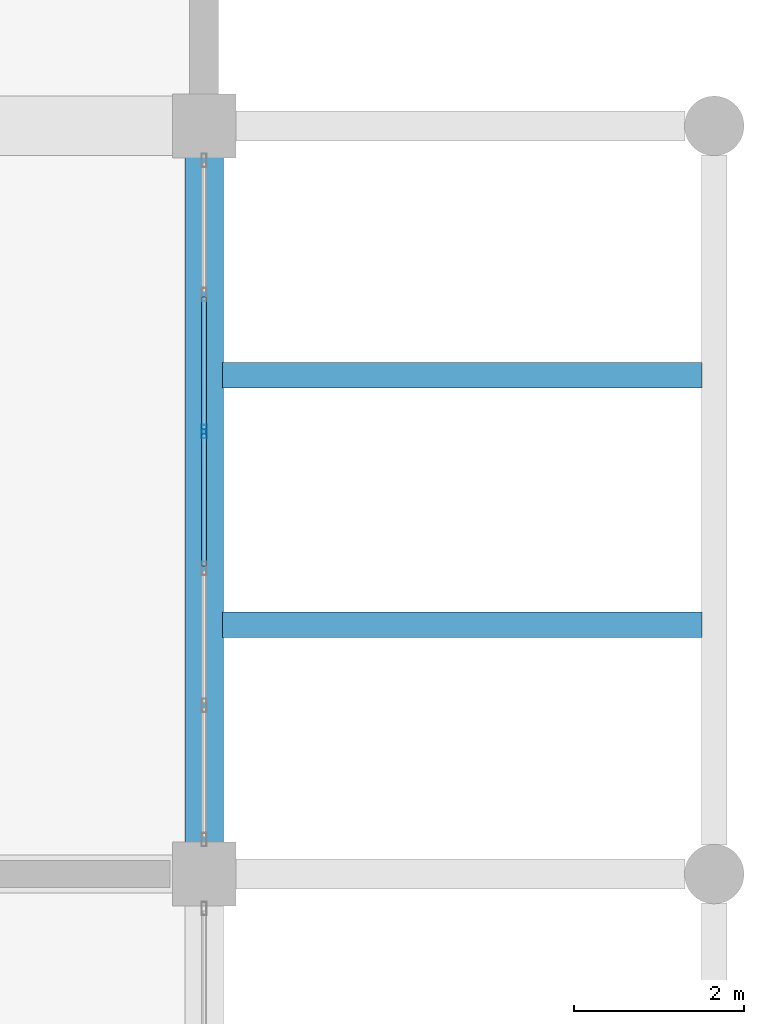
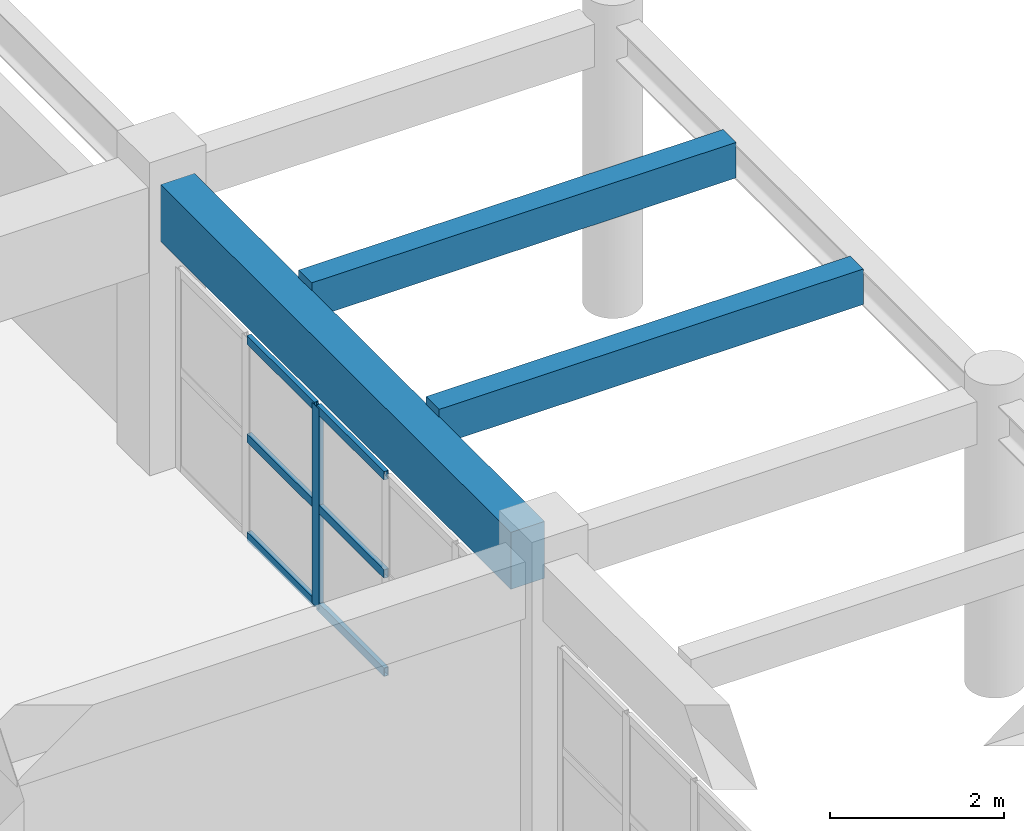
# One storey, part 81 of 116: 7 members, 3 beams, 1 element without a shape of its own.
"""IFC4 building model written with IfcOpenShell, lengths in metres."""

from ifc_helpers import new_model, si_unit, direction, frame, origin, origin_2d, place, context, subcontext, project, spatial, rectangle, hollow_rectangle, extrude, material, layer, layer_set, material_profile, profile_set, type_object, element, aggregate, save


model = new_model("IFC4")

# Units and contexts
model_context = context("Model", 3, precision=1e-05, world=origin(), true_north=direction((0.0, 1.0)))
body_context = subcontext(model_context, "Body", "Model", "MODEL_VIEW")
ifc_project = project(units=[si_unit("LENGTHUNIT", "METRE"), si_unit("AREAUNIT", "SQUARE_METRE"), si_unit("VOLUMEUNIT", "CUBIC_METRE"), si_unit("PLANEANGLEUNIT", "RADIAN"), si_unit("MASSUNIT", "GRAM", prefix="KILO")], contexts=[model_context])

# Site, building, storey
site_placement = place(None, origin())
site = spatial("IfcSite", under=ifc_project, at=site_placement, CompositionType="ELEMENT")
building_placement = place(site_placement, origin())
building = spatial("IfcBuilding", under=site, at=building_placement, Name="Muzn Square Opera House", CompositionType="ELEMENT")
storey_placement = place(building_placement, frame((0.0, 0.0, 5.39990234375)))
storey = spatial("IfcBuildingStorey", under=building, at=storey_placement, Name="L01", CompositionType="ELEMENT", Elevation=5.39990234375)

# Curtain wall, members
ifc_material_1 = material(Name="Low-E laminated acoustic double glazing", Category="glass")
ifc_layer = layer(ifc_material_1, 0.159912109375, Name="Low-E laminated acoustic double glazing", Category="glass")
ifc_layer_set = layer_set([ifc_layer], Name="Low-E laminated acoustic double glazing")
curtain_wall_type = type_object("IfcCurtainWallType", Name="Glazed Curtain Wall EastBlvd 8050x2820", PredefinedType="USERDEFINED", material=ifc_layer_set)
curtain_wall_placement = place(storey_placement, origin())
curtain_wall = element("IfcCurtainWall", 1, at=curtain_wall_placement, inside=storey, type_object=curtain_wall_type, Name="Glazed Curtain Wall CW-L01-121", ObjectType="GLAZED CURTAIN WALL", PredefinedType="USERDEFINED")
ifc_material_2 = material(Name="Anodised bronze aluminium 6063-T6", Category="metal")
ifc_material_profile_1 = material_profile(ifc_material_2, hollow_rectangle(XDim=0.06005859375, YDim=0.159912109375, WallThickness=0.00390625, at=origin_2d()), Name="ALU 160x60x4", Category="metal")
ifc_profile_set_1 = profile_set([ifc_material_profile_1], Name="Anodised bronze aluminium 6063-T6")
member_type_1 = type_object("IfcMemberType", Name="Curtain Wall Mullion 160x60", PredefinedType="MULLION", material=ifc_profile_set_1)
member_1_placement = place(storey_placement, frame((170.0, 95.0048828125, 0.0), z_axis=(0.0, 0.0, 1.0), x_axis=(-1.0, 0.0, 0.0)))
member_1 = element("IfcMember", 2, at=member_1_placement, type_object=member_type_1, Name="CW-EBL-80x28 mullion 4", PredefinedType="MULLION", context=body_context, shape_type="SweptSolid", body=[
    extrude(hollow_rectangle(XDim=0.06005859375, YDim=0.159912109375, WallThickness=0.00390625, at=origin_2d()), origin(), (0.0, 0.0, 1.0), 2.820068359375),
])
ifc_material_profile_2 = material_profile(ifc_material_2, hollow_rectangle(XDim=0.06005859375, YDim=0.1201171875, WallThickness=0.00390625, at=origin_2d()), Name="ALU 120x60x4", Category="metal")
ifc_profile_set_2 = profile_set([ifc_material_profile_2], Name="Anodised bronze aluminium 6063-T6")
member_type_2 = type_object("IfcMemberType", Name="Curtain Wall Transom 120x60", PredefinedType="USERDEFINED", material=ifc_profile_set_2)
member_2_placement = place(storey_placement, frame((170.0, 93.425048828125, 0.030029296875), z_axis=(0.0, 1.0, 0.0), x_axis=(-1.0, 0.0, 0.0)))
member_2 = element("IfcMember", 3, at=member_2_placement, type_object=member_type_2, Name="CW-EBL-80x28 transom 3.1", ObjectType="TRANSOM", PredefinedType="USERDEFINED", context=body_context, shape_type="SweptSolid", body=[
    extrude(hollow_rectangle(XDim=0.06005859375, YDim=0.1201171875, WallThickness=0.00390625, at=origin_2d()), origin(), (0.0, 0.0, 1.0), 1.550048828125),
])
member_3_placement = place(storey_placement, frame((170.0, 93.425048828125, 1.41015625), z_axis=(0.0, 1.0, 0.0), x_axis=(-1.0, 0.0, 0.0)))
member_3 = element("IfcMember", 4, at=member_3_placement, type_object=member_type_2, Name="CW-EBL-80x28 transom 3.2", ObjectType="TRANSOM", PredefinedType="USERDEFINED", context=body_context, shape_type="SweptSolid", body=[
    extrude(hollow_rectangle(XDim=0.06005859375, YDim=0.1201171875, WallThickness=0.00390625, at=origin_2d()), origin(), (0.0, 0.0, 1.0), 1.550048828125),
])
member_4_placement = place(storey_placement, frame((170.0, 93.425048828125, 2.7900390625), z_axis=(0.0, 1.0, 0.0), x_axis=(-1.0, 0.0, 0.0)))
member_4 = element("IfcMember", 5, at=member_4_placement, type_object=member_type_2, Name="CW-EBL-80x28 transom 3.3", ObjectType="TRANSOM", PredefinedType="USERDEFINED", context=body_context, shape_type="SweptSolid", body=[
    extrude(hollow_rectangle(XDim=0.06005859375, YDim=0.1201171875, WallThickness=0.00390625, at=origin_2d()), origin(), (0.0, 0.0, 1.0), 1.550048828125),
])
member_5_placement = place(storey_placement, frame((170.0, 95.034912109375, 0.030029296875), z_axis=(0.0, 1.0, 0.0), x_axis=(-1.0, 0.0, 0.0)))
member_5 = element("IfcMember", 6, at=member_5_placement, type_object=member_type_2, Name="CW-EBL-80x28 transom 4.1", ObjectType="TRANSOM", PredefinedType="USERDEFINED", context=body_context, shape_type="SweptSolid", body=[
    extrude(hollow_rectangle(XDim=0.06005859375, YDim=0.1201171875, WallThickness=0.00390625, at=origin_2d()), origin(), (0.0, 0.0, 1.0), 1.550048828125),
])
member_6_placement = place(storey_placement, frame((170.0, 95.034912109375, 1.41015625), z_axis=(0.0, 1.0, 0.0), x_axis=(-1.0, 0.0, 0.0)))
member_6 = element("IfcMember", 7, at=member_6_placement, type_object=member_type_2, Name="CW-EBL-80x28 transom 4.2", ObjectType="TRANSOM", PredefinedType="USERDEFINED", context=body_context, shape_type="SweptSolid", body=[
    extrude(hollow_rectangle(XDim=0.06005859375, YDim=0.1201171875, WallThickness=0.00390625, at=origin_2d()), origin(), (0.0, 0.0, 1.0), 1.550048828125),
])
member_7_placement = place(storey_placement, frame((170.0, 95.034912109375, 2.7900390625), z_axis=(0.0, 1.0, 0.0), x_axis=(-1.0, 0.0, 0.0)))
member_7 = element("IfcMember", 8, at=member_7_placement, type_object=member_type_2, Name="CW-EBL-80x28 transom 4.3", ObjectType="TRANSOM", PredefinedType="USERDEFINED", context=body_context, shape_type="SweptSolid", body=[
    extrude(hollow_rectangle(XDim=0.06005859375, YDim=0.1201171875, WallThickness=0.00390625, at=origin_2d()), origin(), (0.0, 0.0, 1.0), 1.550048828125),
])
aggregate(curtain_wall, [member_1, member_2, member_3, member_4, member_5, member_6, member_7])

# Beams
ifc_material_3 = material(Name="Concrete C40/50", Category="concrete")
ifc_material_profile_3 = material_profile(ifc_material_3, rectangle(XDim=0.300048828125, YDim=0.5, at=origin_2d()), Name="RCJ 300x500", Category="concrete")
ifc_profile_set_3 = profile_set([ifc_material_profile_3], Name="Concrete C40/50")
beam_type_1 = type_object("IfcBeamType", Name="Floor Joist 300x500", PredefinedType="JOIST", material=ifc_profile_set_3)
for number, where, z_axis, x_axis, name in (
    (9, (170.217041015625, 92.7333984375, 3.900146484375), (1.0, 0.0, 0.0), (0.0, 1.0, 0.0), "Floor Joist BM-L01-BM-J500-1702_927_1759_927-1938"),
    (10, (170.217041015625, 95.666748046875, 3.900146484375), (1.0, 0.0, 0.0), (0.0, 1.0, 0.0), "Floor Joist BM-L01-BM-J500-1702_957_1759_957-1939"),
):
    element("IfcBeam", number, at=place(storey_placement, frame(where, z_axis=z_axis, x_axis=x_axis)), inside=storey, type_object=beam_type_1, Name=name, PredefinedType="JOIST", context=body_context, shape_type="SweptSolid", body=[
        extrude(rectangle(XDim=0.300048828125, YDim=0.5, at=origin_2d()), origin(), (0.0, 0.0, 1.0), 5.640869140625),
    ])
ifc_material_profile_4 = material_profile(ifc_material_3, rectangle(XDim=0.449951171875, YDim=0.800048828125, at=origin_2d()), Name="RCB 450x800", Category="concrete")
ifc_profile_set_4 = profile_set([ifc_material_profile_4], Name="Concrete C40/50")
beam_type_2 = type_object("IfcBeamType", Name="Primary Girder 450x800", PredefinedType="BEAM", material=ifc_profile_set_4)
beam_placement = place(storey_placement, frame((170.0, 90.1669921875, 3.64013671875), z_axis=(0.0, 1.0, 0.0), x_axis=(-1.0, 0.0, 0.0)))
element("IfcBeam", 11, at=beam_placement, inside=storey, type_object=beam_type_2, Name="Primary Girder BM-L01-BM-PG800-1700_902_1700_982-1781", PredefinedType="BEAM", context=body_context, shape_type="SweptSolid", body=[
    extrude(rectangle(XDim=0.449951171875, YDim=0.800048828125, at=origin_2d()), origin(), (0.0, 0.0, 1.0), 8.06591796875),
])

save(model, "model.ifc")
